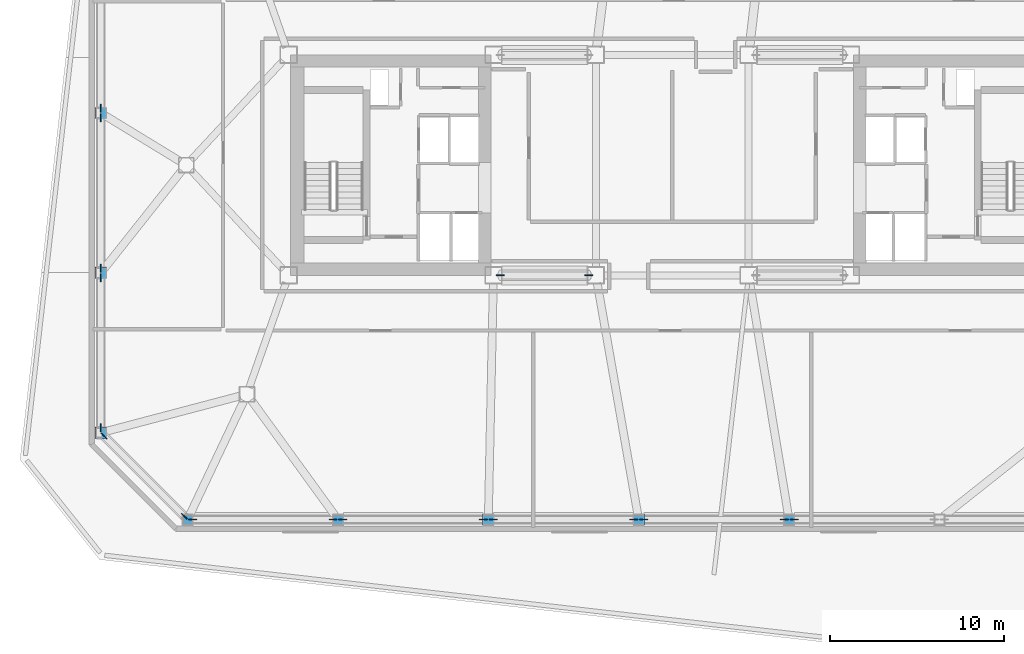
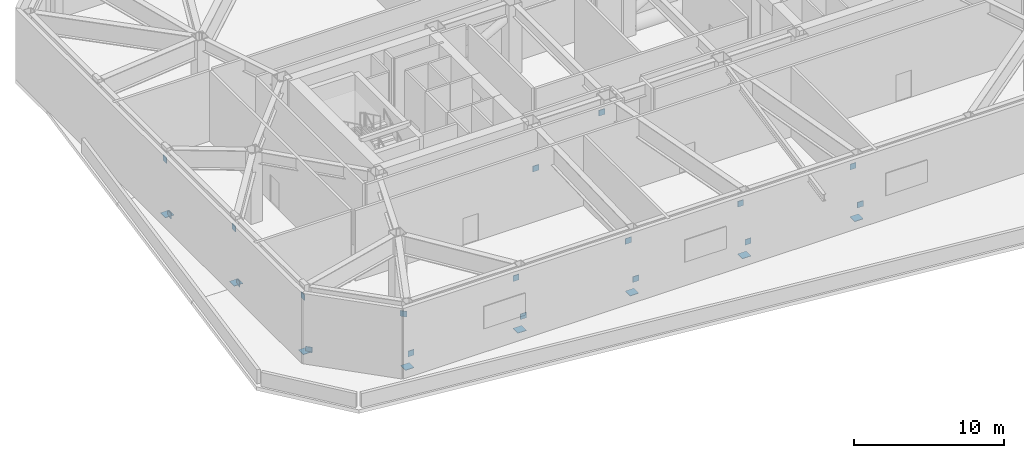
# One storey, part 7 of 12: 26 discrete accessories.
"""IFC4 building model written with IfcOpenShell, lengths in metres."""

from ifc_helpers import new_model, si_unit, direction, frame, origin, origin_2d, place, context, subcontext, project, spatial, rectangle, extrude, material, type_object, element, save


model = new_model("IFC4")

# Units and contexts
model_context = context("Model", 3, precision=1e-05, world=origin(), true_north=direction((0.0, 1.0)))
body_context = subcontext(model_context, "Body", "Model", "MODEL_VIEW")
ifc_project = project(units=[si_unit("LENGTHUNIT", "METRE"), si_unit("AREAUNIT", "SQUARE_METRE"), si_unit("VOLUMEUNIT", "CUBIC_METRE"), si_unit("PLANEANGLEUNIT", "RADIAN"), si_unit("MASSUNIT", "GRAM", prefix="KILO")], contexts=[model_context])

# Site, building, storey
site_placement = place(None, origin())
site = spatial("IfcSite", under=ifc_project, at=site_placement, CompositionType="ELEMENT")
building_placement = place(site_placement, origin())
building = spatial("IfcBuilding", under=site, at=building_placement, Name="Tavrogorsk Clinical Tower", CompositionType="ELEMENT")
storey_placement = place(building_placement, frame((0.0, 0.0, 146.199951171875)))
storey = spatial("IfcBuildingStorey", under=building, at=storey_placement, Name="L33", CompositionType="ELEMENT", Elevation=146.199951171875)

# Discrete accessories
ifc_material_1 = material(Name="Structural steel S440", Category="steel")
discrete_accessory_type_1 = type_object("IfcDiscreteAccessoryType", Name="GussetPlateBracket_25", PredefinedType="BRACKET", material=ifc_material_1)
for number, where, z_axis, x_axis, name in (
    (1, (-27.635009765625, -20.419921875, 1.136474609375), (0.0, 0.0, 1.0), (1.0, 0.0, 0.0), "L33 Brace Gusset Plate EXOBELT-L33-01-A"),
    (2, (-19.542236328125, -20.419921875, 4.443603515625), (0.0, 0.0, 1.0), (1.0, 0.0, 0.0), "L33 Brace Gusset Plate EXOBELT-L33-01-B"),
    (3, (-18.971923828125, -20.419921875, 1.136474609375), (0.0, 0.0, 1.0), (1.0, 0.0, 0.0), "L33 Brace Gusset Plate EXOBELT-L33-02-A"),
    (4, (-10.87939453125, -20.419921875, 4.443603515625), (0.0, 0.0, 1.0), (1.0, 0.0, 0.0), "L33 Brace Gusset Plate EXOBELT-L33-02-B"),
    (5, (-10.30908203125, -20.419921875, 1.136474609375), (0.0, 0.0, 1.0), (1.0, 0.0, 0.0), "L33 Brace Gusset Plate EXOBELT-L33-03-A"),
    (6, (-2.216552734375, -20.419921875, 4.443603515625), (0.0, 0.0, 1.0), (1.0, 0.0, 0.0), "L33 Brace Gusset Plate EXOBELT-L33-03-B"),
    (7, (-1.646240234375, -20.419921875, 1.136474609375), (0.0, 0.0, 1.0), (1.0, 0.0, 0.0), "L33 Brace Gusset Plate EXOBELT-L33-04-A"),
    (8, (6.4462890625, -20.419921875, 4.443603515625), (0.0, 0.0, 1.0), (1.0, 0.0, 0.0), "L33 Brace Gusset Plate EXOBELT-L33-04-B"),
    (9, (7.0166015625, -20.419921875, 1.136474609375), (0.0, 0.0, 1.0), (1.0, 0.0, 0.0), "L33 Brace Gusset Plate EXOBELT-L33-05-A"),
    (10, (-32.919921875, 3.27734375, 4.42626953125), (0.0, 0.0, 1.0), (0.0, -1.0, 0.0), "L33 Brace Gusset Plate EXOBELT-L33-23-B"),
    (11, (-32.919921875, 2.72265625, 0.25390625), (0.0, 0.0, 1.0), (0.0, -1.0, 0.0), "L33 Brace Gusset Plate EXOBELT-L33-24-A"),
    (12, (-32.919921875, -5.9326171875, 4.42626953125), (0.0, 0.0, 1.0), (0.0, -1.0, 0.0), "L33 Brace Gusset Plate EXOBELT-L33-24-B"),
    (13, (-32.919921875, -6.487548828125, 0.25390625), (0.0, 0.0, 1.0), (0.0, -1.0, 0.0), "L33 Brace Gusset Plate EXOBELT-L33-25-A"),
    (14, (-32.919921875, -15.142578125, 4.42626953125), (0.0, 0.0, 1.0), (0.0, -1.0, 0.0), "L33 Brace Gusset Plate EXOBELT-L33-25-B"),
    (15, (-32.735595703125, -15.6044921875, 0.283935546875), (0.0, 0.0, 1.0), (0.707106781187, -0.707106781187, 0.0), "L33 Brace Gusset Plate EXOBELT-L33-26-A"),
    (16, (-28.1044921875, -20.235595703125, 4.396240234375), (0.0, 0.0, 1.0), (0.707106781187, -0.707106781187, 0.0), "L33 Brace Gusset Plate EXOBELT-L33-26-B"),
    (17, (-9.89599609375, -6.35009765625, 1.469970703125), (0.0, 0.0, 1.0), (1.0, 0.0, 0.0), "L33 Brace Gusset Plate ORDG-L33-01-A"),
    (18, (-4.803955078125, -6.35009765625, 4.240234375), (0.0, 0.0, 1.0), (1.0, 0.0, 0.0), "L33 Brace Gusset Plate ORDG-L33-01-B"),
):
    element("IfcDiscreteAccessory", number, at=place(storey_placement, frame(where, z_axis=z_axis, x_axis=x_axis)), inside=storey, type_object=discrete_accessory_type_1, Name=name, PredefinedType="BRACKET", context=body_context, shape_type="SweptSolid", body=[
        extrude(rectangle(XDim=0.4599609375, YDim=0.0400390625, at=origin_2d()), origin(), (0.0, 0.0, 1.0), 0.4599609375),
    ])
ifc_material_2 = material(Name="Structural steel S440", Category="steel")
discrete_accessory_type_2 = type_object("IfcDiscreteAccessoryType", Name="TrussEndCapBracket", PredefinedType="BRACKET", material=ifc_material_2)
for number, where, z_axis, x_axis, name in (
    (19, (-27.919921875, -20.419921875, 0.330078125), (0.0, 0.0, 1.0), (1.0, 0.0, 0.0), "L33 Hollow Node End Cap S1"),
    (20, (-19.257080078125, -20.419921875, 0.330078125), (0.0, 0.0, 1.0), (1.0, 0.0, 0.0), "L33 Hollow Node End Cap S2"),
    (21, (-10.59423828125, -20.419921875, 0.330078125), (0.0, 0.0, 1.0), (1.0, 0.0, 0.0), "L33 Hollow Node End Cap S3"),
    (22, (-1.931396484375, -20.419921875, 0.330078125), (0.0, 0.0, 1.0), (1.0, 0.0, 0.0), "L33 Hollow Node End Cap S4"),
    (23, (6.7314453125, -20.419921875, 0.330078125), (0.0, 0.0, 1.0), (1.0, 0.0, 0.0), "L33 Hollow Node End Cap S5"),
    (24, (-32.919921875, 3.0, 0.330078125), (0.0, 0.0, 1.0), (1.0, 0.0, 0.0), "L33 Hollow Node End Cap W3"),
    (25, (-32.919921875, -6.2099609375, 0.330078125), (0.0, 0.0, 1.0), (1.0, 0.0, 0.0), "L33 Hollow Node End Cap W4"),
    (26, (-32.919921875, -15.419921875, 0.330078125), (0.0, 0.0, 1.0), (1.0, 0.0, 0.0), "L33 Hollow Node End Cap W5"),
):
    element("IfcDiscreteAccessory", number, at=place(storey_placement, frame(where, z_axis=z_axis, x_axis=x_axis)), inside=storey, type_object=discrete_accessory_type_2, Name=name, PredefinedType="BRACKET", context=body_context, shape_type="SweptSolid", body=[
        extrude(rectangle(XDim=0.64990234375, YDim=0.64990234375, at=origin_2d()), origin(), (0.0, 0.0, 1.0), 0.0400390625),
    ])

save(model, "model.ifc")
